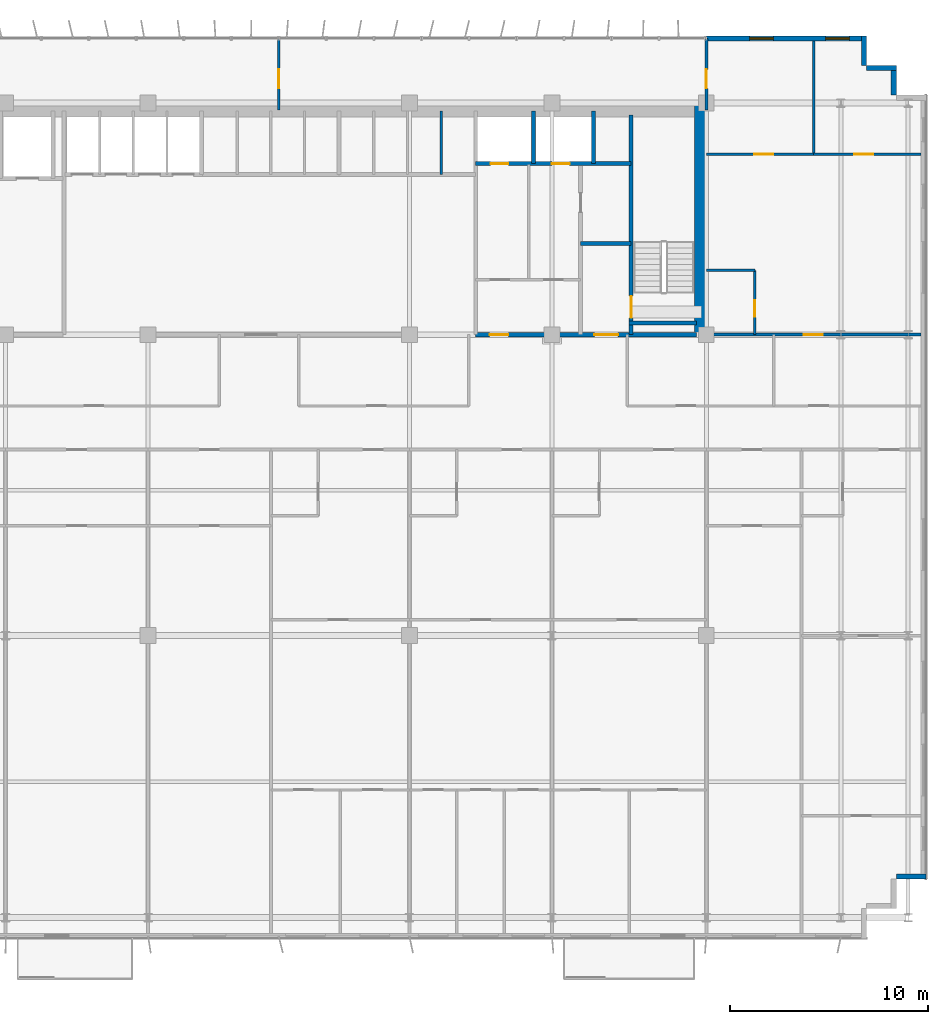
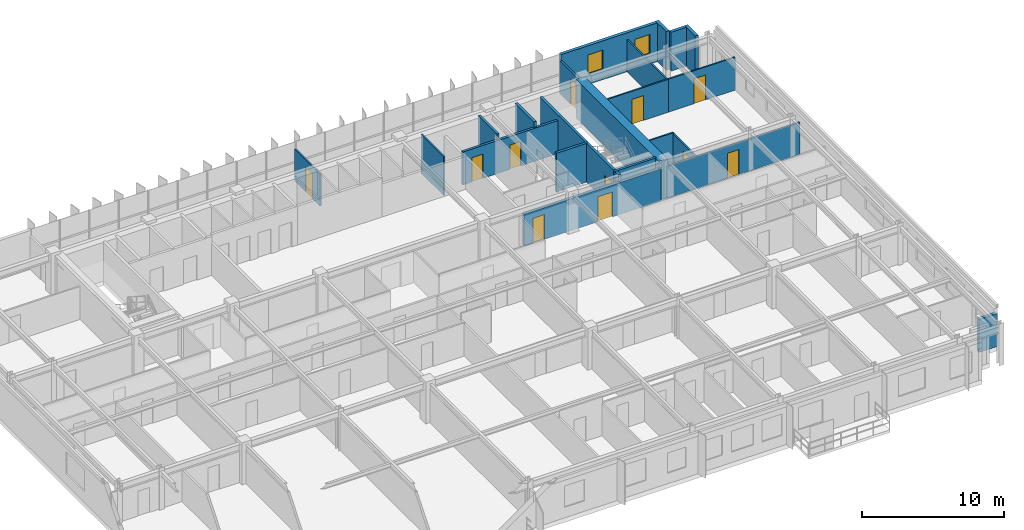
# One storey, part 18 of 22: 22 walls, 11 doors, 2 windows, 13 openings.
"""IFC4 building model written with IfcOpenShell, lengths in metres."""

from ifc_helpers import new_model, si_unit, direction, frame, frame_2d, origin, place, context, subcontext, project, spatial, rectangle, extrude, source, transform, mapped, material, layer, layer_set, type_object, element, fill, save


model = new_model("IFC4")

# Units and contexts
model_context = context("Model", 3, precision=1e-05, world=origin(), true_north=direction((0.0, 1.0)))
body_context = subcontext(model_context, "Body", "Model", "MODEL_VIEW")
ifc_project = project(units=[si_unit("LENGTHUNIT", "METRE"), si_unit("AREAUNIT", "SQUARE_METRE"), si_unit("VOLUMEUNIT", "CUBIC_METRE"), si_unit("PLANEANGLEUNIT", "RADIAN"), si_unit("MASSUNIT", "GRAM", prefix="KILO")], contexts=[model_context])

# Site, building, storey
site_placement = place(None, origin())
site = spatial("IfcSite", under=ifc_project, at=site_placement, CompositionType="ELEMENT")
building_placement = place(site_placement, origin())
building = spatial("IfcBuilding", under=site, at=building_placement, Name="Trelvane Seafront Commons", CompositionType="ELEMENT")
storey_placement = place(building_placement, frame((0.0, 0.0, 81.699951171875)))
storey = spatial("IfcBuildingStorey", under=building, at=storey_placement, Name="L20", CompositionType="ELEMENT", Elevation=81.699951171875)

# Wall, openings, windows
ifc_material_1 = material(Name="Precast concrete C40/50", Category="concrete")
ifc_layer_1 = layer(ifc_material_1, 0.260009765625, Name="ARCH-WALL-EXT260")
ifc_layer_set_1 = layer_set([ifc_layer_1], Name="Precast concrete C40/50")
wall_type_1 = type_object("IfcWallType", Name="ARCH-WALL-EXT260", PredefinedType="SOLIDWALL", material=ifc_layer_set_1)
wall_1_placement = place(storey_placement, frame((58.800048828125, 48.3701171875, 0.0), z_axis=(0.0, 0.0, 1.0), x_axis=(1.0, 0.0, 0.0)))
wall_1 = element("IfcWall", 1, at=wall_1_placement, inside=storey, type_object=wall_type_1, Name="EW-L20-NE-0350", PredefinedType="SOLIDWALL", context=body_context, shape_type="SweptSolid", body=[
    extrude(rectangle(XDim=8.0, YDim=0.260009765625, at=frame_2d((4.0, 0.0))), origin(), (0.0, 0.0, 1.0), 3.340087890625),
])
opening_1_placement = place(wall_1_placement, frame((2.19189453125, 0.0, 0.89990234375)))
opening_1 = element("IfcOpeningElement", 2, at=opening_1_placement, cuts=wall_1, Name="Opening W05", PredefinedType="OPENING", context=body_context, shape_type="SweptSolid", body=[
    extrude(rectangle(XDim=1.199951171875, YDim=1.64990234375, at=frame_2d((0.60009765625, 0.824951171875))), frame((0.0, 0.139892578125, 0.0), z_axis=(0.0, -1.0, 0.0), x_axis=(1.0, 0.0, 0.0)), (0.0, 0.0, 1.0), 0.280029296875),
])
opening_2_placement = place(wall_1_placement, frame((6.032958984375, 0.0, 0.89990234375)))
opening_2 = element("IfcOpeningElement", 3, at=opening_2_placement, cuts=wall_1, Name="Opening W05", PredefinedType="OPENING", context=body_context, shape_type="SweptSolid", body=[
    extrude(rectangle(XDim=1.199951171875, YDim=1.64990234375, at=frame_2d((0.60009765625, 0.824951171875))), frame((0.0, 0.139892578125, 0.0), z_axis=(0.0, -1.0, 0.0), x_axis=(1.0, 0.0, 0.0)), (0.0, 0.0, 1.0), 0.280029296875),
])
ifc_material_2 = material(Name="Low-E coastal double glazing", Category="glass")
window_type = type_object("IfcWindowType", Name="ARCH-WIN-W05", PartitioningType="SINGLE_PANEL", PredefinedType="WINDOW", material=ifc_material_2)
shared_shape_1 = source(origin(), body_context, "Body", "SweptSolid", [
    extrude(rectangle(XDim=1.199951171875, YDim=1.64990234375, at=frame_2d((0.60009765625, 0.824951171875))), frame((0.0, 0.030029296875, 0.0), z_axis=(0.0, -1.0, 0.0), x_axis=(1.0, 0.0, 0.0)), (0.0, 0.0, 1.0), 0.06005859375),
])
window_1_placement = place(opening_1_placement, origin())
window_1 = element("IfcWindow", 4, at=window_1_placement, inside=storey, type_object=window_type, Name="WIN-L20-00396", OverallHeight=1.64990234375, OverallWidth=1.199951171875, PartitioningType="SINGLE_PANEL", PredefinedType="WINDOW", context=body_context, shape_type="MappedRepresentation", body=[
    mapped(shared_shape_1, transform((0.0, 0.0, 0.0), x_axis=(1.0, 0.0, 0.0), y_axis=(0.0, 1.0, 0.0), z_axis=(0.0, 0.0, 1.0), scale=1.0)),
])
fill(opening_1, window_1)
window_2_placement = place(opening_2_placement, origin())
window_2 = element("IfcWindow", 5, at=window_2_placement, inside=storey, type_object=window_type, Name="WIN-L20-00397", OverallHeight=1.64990234375, OverallWidth=1.199951171875, PartitioningType="SINGLE_PANEL", PredefinedType="WINDOW", context=body_context, shape_type="MappedRepresentation", body=[
    mapped(shared_shape_1, transform((0.0, 0.0, 0.0), x_axis=(1.0, 0.0, 0.0), y_axis=(0.0, 1.0, 0.0), z_axis=(0.0, 0.0, 1.0), scale=1.0)),
])
fill(opening_2, window_2)

# Walls
for number, where, z_axis, x_axis, name in (
    (6, (66.77001953125, 48.5, 0.0), (0.0, 0.0, 1.0), (0.0, -1.0, 0.0), "EW-L20-00359"),
    (7, (66.89990234375, 46.8701171875, 0.0), (0.0, 0.0, 1.0), (1.0, 0.0, 0.0), "EW-L20-00360"),
    (8, (68.27001953125, 47.0, 0.0), (0.0, 0.0, 1.0), (0.0, -1.0, 0.0), "EW-L20-00361"),
):
    element("IfcWall", number, at=place(storey_placement, frame(where, z_axis=z_axis, x_axis=x_axis)), inside=storey, type_object=wall_type_1, Name=name, PredefinedType="SOLIDWALL", context=body_context, shape_type="SweptSolid", body=[
        extrude(rectangle(XDim=1.5, YDim=0.260009765625, at=frame_2d((0.75, 0.0))), origin(), (0.0, 0.0, 1.0), 3.340087890625),
    ])
wall_2_placement = place(storey_placement, frame((69.89990234375, 6.030029296875, 0.0), z_axis=(0.0, 0.0, 1.0), x_axis=(-1.0, 0.0, 0.0)))
element("IfcWall", 9, at=wall_2_placement, inside=storey, type_object=wall_type_1, Name="EW-L20-00364", PredefinedType="SOLIDWALL", context=body_context, shape_type="SweptSolid", body=[
    extrude(rectangle(XDim=1.5, YDim=0.260009765625, at=frame_2d((0.75, 0.0))), origin(), (0.0, 0.0, 1.0), 2.840087890625),
])
ifc_material_3 = material(Name="Concrete C40/50", Category="concrete")
ifc_layer_2 = layer(ifc_material_3, 0.199951171875, Name="ARCH-WALL-FIRE200")
ifc_layer_set_2 = layer_set([ifc_layer_2], Name="Concrete C40/50")
wall_type_2 = type_object("IfcWallType", Name="ARCH-WALL-FIRE200", PredefinedType="PARTITIONING", material=ifc_layer_set_2)
wall_3_placement = place(storey_placement, frame((52.449951171875, 38.0, 0.0), z_axis=(0.0, 0.0, 1.0), x_axis=(1.0, 0.0, 0.0)))
element("IfcWall", 10, at=wall_3_placement, inside=storey, type_object=wall_type_2, Name="W-L20-ST2V-N-034", PredefinedType="PARTITIONING", context=body_context, shape_type="SweptSolid", body=[
    extrude(rectangle(XDim=2.550048828125, YDim=0.199951171875, at=frame_2d((1.27490234375, 0.0))), origin(), (0.0, 0.0, 1.0), 3.340087890625),
])

# Wall, openings, doors
ifc_layer_3 = layer(ifc_material_3, 0.25, Name="ARCH-WALL-FIRE250")
ifc_layer_set_3 = layer_set([ifc_layer_3], Name="Concrete C40/50")
wall_type_3 = type_object("IfcWallType", Name="ARCH-WALL-FIRE250", PredefinedType="PARTITIONING", material=ifc_layer_set_3)
wall_4_placement = place(storey_placement, frame((47.14990234375, 33.39990234375, 0.0), z_axis=(0.0, 0.0, 1.0), x_axis=(1.0, 0.0, 0.0)))
wall_4 = element("IfcWall", 11, at=wall_4_placement, inside=storey, type_object=wall_type_3, Name="W-L20-CS-EAST-037", PredefinedType="PARTITIONING", context=body_context, shape_type="SweptSolid", body=[
    extrude(rectangle(XDim=11.150146484375, YDim=0.25, at=frame_2d((5.5751953125, 0.0))), origin(), (0.0, 0.0, 1.0), 2.751953125),
])
opening_3_placement = place(wall_4_placement, frame((0.699951171875, 0.0, 0.0)))
opening_3 = element("IfcOpeningElement", 12, at=opening_3_placement, cuts=wall_4, Name="Opening FD-L20-16", PredefinedType="OPENING", context=body_context, shape_type="SweptSolid", body=[
    extrude(rectangle(XDim=0.949951171875, YDim=2.14990234375, at=frame_2d((0.47509765625, 1.074951171875))), frame((0.0, 0.135009765625, 0.0), z_axis=(0.0, -1.0, 0.0), x_axis=(1.0, 0.0, 0.0)), (0.0, 0.0, 1.0), 0.27001953125),
])
opening_4_placement = place(wall_4_placement, frame((6.0, 0.0, 0.0)))
opening_4 = element("IfcOpeningElement", 13, at=opening_4_placement, cuts=wall_4, Name="Opening FD-L20-17", PredefinedType="OPENING", context=body_context, shape_type="SweptSolid", body=[
    extrude(rectangle(XDim=1.199951171875, YDim=2.14990234375, at=frame_2d((0.60009765625, 1.074951171875))), frame((0.0, 0.135009765625, 0.0), z_axis=(0.0, -1.0, 0.0), x_axis=(1.0, 0.0, 0.0)), (0.0, 0.0, 1.0), 0.27001953125),
])
ifc_material_4 = material(Name="Powder-coated aluminium frame", Category="aluminium")
door_type_1 = type_object("IfcDoorType", Name="ARCH-DR-FD60-950", OperationType="NOTDEFINED", PredefinedType="DOOR", material=ifc_material_4)
shared_shape_2 = source(origin(), body_context, "Body", "SweptSolid", [
    extrude(rectangle(XDim=0.949951171875, YDim=2.14990234375, at=frame_2d((0.47509765625, 1.074951171875))), frame((0.0, 0.02490234375, 0.0), z_axis=(0.0, -1.0, 0.0), x_axis=(1.0, 0.0, 0.0)), (0.0, 0.0, 1.0), 0.050048828125),
])
door_1_placement = place(opening_3_placement, origin())
door_1 = element("IfcDoor", 14, at=door_1_placement, inside=storey, type_object=door_type_1, Name="L20 Core Service Lobby Door", OperationType="SINGLE_SWING_RIGHT", OverallHeight=2.14990234375, OverallWidth=0.949951171875, PredefinedType="DOOR", context=body_context, shape_type="MappedRepresentation", body=[
    mapped(shared_shape_2, transform((0.0, 0.0, 0.0), x_axis=(1.0, 0.0, 0.0), y_axis=(0.0, 1.0, 0.0), z_axis=(0.0, 0.0, 1.0), scale=1.0)),
])
fill(opening_3, door_1)
door_type_2 = type_object("IfcDoorType", Name="ARCH-DR-FD60-1200", OperationType="NOTDEFINED", PredefinedType="DOOR", material=ifc_material_4)
shared_shape_3 = source(origin(), body_context, "Body", "SweptSolid", [
    extrude(rectangle(XDim=1.199951171875, YDim=2.14990234375, at=frame_2d((0.60009765625, 1.074951171875))), frame((0.0, 0.02490234375, 0.0), z_axis=(0.0, -1.0, 0.0), x_axis=(1.0, 0.0, 0.0)), (0.0, 0.0, 1.0), 0.050048828125),
])
door_2_placement = place(opening_4_placement, origin())
door_2 = element("IfcDoor", 15, at=door_2_placement, inside=storey, type_object=door_type_2, Name="L20 East Stair Vestibule Fire Door", OperationType="SINGLE_SWING_LEFT", OverallHeight=2.14990234375, OverallWidth=1.199951171875, PredefinedType="DOOR", context=body_context, shape_type="MappedRepresentation", body=[
    mapped(shared_shape_3, transform((0.0, 0.0, 0.0), x_axis=(1.0, 0.0, 0.0), y_axis=(0.0, 1.0, 0.0), z_axis=(0.0, 0.0, 1.0), scale=1.0)),
])
fill(opening_4, door_2)

# Wall
ifc_material_5 = material(Name="Gypsum Drywall Acoustic Partition")
ifc_layer_4 = layer(ifc_material_5, 0.1201171875, Name="ARCH-WALL-PART120")
ifc_layer_set_4 = layer_set([ifc_layer_4], Name="Gypsum Drywall Acoustic Partition")
wall_type_4 = type_object("IfcWallType", Name="ARCH-WALL-PART120", PredefinedType="PARTITIONING", material=ifc_layer_set_4)
wall_5_placement = place(storey_placement, frame((45.39990234375, 41.5, 0.0), z_axis=(0.0, 0.0, 1.0), x_axis=(0.0, 1.0, 0.0)))
element("IfcWall", 16, at=wall_5_placement, inside=storey, type_object=wall_type_4, Name="W-L20-PH-DIV3-027", PredefinedType="PARTITIONING", context=body_context, shape_type="SweptSolid", body=[
    extrude(rectangle(XDim=3.199951171875, YDim=0.1201171875, at=frame_2d((1.60009765625, 0.0))), origin(), (0.0, 0.0, 1.0), 3.340087890625),
])

# Wall, opening, door
wall_6_placement = place(storey_placement, frame((61.25, 33.39990234375, 0.0), z_axis=(0.0, 0.0, 1.0), x_axis=(0.0, 1.0, 0.0)))
wall_6 = element("IfcWall", 17, at=wall_6_placement, inside=storey, type_object=wall_type_4, Name="W-L20-NE-BE-051", PredefinedType="PARTITIONING", context=body_context, shape_type="SweptSolid", body=[
    extrude(rectangle(XDim=3.25, YDim=0.1201171875, at=frame_2d((1.625, 0.0))), origin(), (0.0, 0.0, 1.0), 2.751953125),
])
opening_5_placement = place(wall_6_placement, frame((0.89990234375, 0.0, 0.0)))
opening_5 = element("IfcOpeningElement", 18, at=opening_5_placement, cuts=wall_6, Name="Opening D-L20-25", PredefinedType="OPENING", context=body_context, shape_type="SweptSolid", body=[
    extrude(rectangle(XDim=0.85009765625, YDim=2.10009765625, at=frame_2d((0.425048828125, 1.050048828125))), frame((0.0, 0.070068359375, 0.0), z_axis=(0.0, -1.0, 0.0), x_axis=(1.0, 0.0, 0.0)), (0.0, 0.0, 1.0), 0.14013671875),
])
ifc_material_6 = material(Name="Acoustic timber door leaf", Category="wood")
door_type_3 = type_object("IfcDoorType", Name="ARCH-DR-INT850", OperationType="NOTDEFINED", PredefinedType="DOOR", material=ifc_material_6)
shared_shape_4 = source(origin(), body_context, "Body", "SweptSolid", [
    extrude(rectangle(XDim=0.85009765625, YDim=2.10009765625, at=frame_2d((0.425048828125, 1.050048828125))), frame((0.0, 0.02490234375, 0.0), z_axis=(0.0, -1.0, 0.0), x_axis=(1.0, 0.0, 0.0)), (0.0, 0.0, 1.0), 0.050048828125),
])
door_3_placement = place(opening_5_placement, origin())
door_3 = element("IfcDoor", 19, at=door_3_placement, inside=storey, type_object=door_type_3, Name="L20 Door 25", OperationType="SINGLE_SWING_LEFT", OverallHeight=2.10009765625, OverallWidth=0.85009765625, PredefinedType="DOOR", context=body_context, shape_type="MappedRepresentation", body=[
    mapped(shared_shape_4, transform((0.0, 0.0, 0.0), x_axis=(1.0, 0.0, 0.0), y_axis=(0.0, 1.0, 0.0), z_axis=(0.0, 0.0, 1.0), scale=1.0)),
])
fill(opening_5, door_3)

# Wall
wall_7_placement = place(storey_placement, frame((58.800048828125, 36.64990234375, 0.0), z_axis=(0.0, 0.0, 1.0), x_axis=(1.0, 0.0, 0.0)))
element("IfcWall", 20, at=wall_7_placement, inside=storey, type_object=wall_type_4, Name="W-L20-NE-BN-052", PredefinedType="PARTITIONING", context=body_context, shape_type="SweptSolid", body=[
    extrude(rectangle(XDim=2.449951171875, YDim=0.1201171875, at=frame_2d((1.22509765625, 0.0))), origin(), (0.0, 0.0, 1.0), 2.840087890625),
])

# Wall, opening, door
wall_8_placement = place(storey_placement, frame((58.800048828125, 42.52001953125, 0.0), z_axis=(0.0, 0.0, 1.0), x_axis=(1.0, 0.0, 0.0)))
wall_8 = element("IfcWall", 21, at=wall_8_placement, inside=storey, type_object=wall_type_4, Name="W-L20-NE-KB1-053", PredefinedType="PARTITIONING", context=body_context, shape_type="SweptSolid", body=[
    extrude(rectangle(XDim=5.425048828125, YDim=0.1201171875, at=frame_2d((2.71240234375, 0.0))), origin(), (0.0, 0.0, 1.0), 2.840087890625),
])
opening_6_placement = place(wall_8_placement, frame((2.423095703125, 0.0, 0.0)))
opening_6 = element("IfcOpeningElement", 22, at=opening_6_placement, cuts=wall_8, Name="Opening D-L20-26", PredefinedType="OPENING", context=body_context, shape_type="SweptSolid", body=[
    extrude(rectangle(XDim=0.949951171875, YDim=2.14990234375, at=frame_2d((0.47509765625, 1.074951171875))), frame((0.0, 0.070068359375, 0.0), z_axis=(0.0, -1.0, 0.0), x_axis=(1.0, 0.0, 0.0)), (0.0, 0.0, 1.0), 0.14013671875),
])
door_type_4 = type_object("IfcDoorType", Name="ARCH-DR-INT950", OperationType="NOTDEFINED", PredefinedType="DOOR", material=ifc_material_6)
door_4_placement = place(opening_6_placement, origin())
door_4 = element("IfcDoor", 23, at=door_4_placement, inside=storey, type_object=door_type_4, Name="L20 Door 26", OperationType="SINGLE_SWING_RIGHT", OverallHeight=2.14990234375, OverallWidth=0.949951171875, PredefinedType="DOOR", context=body_context, shape_type="MappedRepresentation", body=[
    mapped(shared_shape_2, transform((0.0, 0.0, 0.0), x_axis=(1.0, 0.0, 0.0), y_axis=(0.0, 1.0, 0.0), z_axis=(0.0, 0.0, 1.0), scale=1.0)),
])
fill(opening_6, door_4)

wall_9_placement = place(storey_placement, frame((64.22509765625, 42.52001953125, 0.0), z_axis=(0.0, 0.0, 1.0), x_axis=(1.0, 0.0, 0.0)))
wall_9 = element("IfcWall", 24, at=wall_9_placement, inside=storey, type_object=wall_type_4, Name="W-L20-NE-KB2-054", PredefinedType="PARTITIONING", context=body_context, shape_type="SweptSolid", body=[
    extrude(rectangle(XDim=5.4248046875, YDim=0.1201171875, at=frame_2d((2.71240234375, 0.0))), origin(), (0.0, 0.0, 1.0), 2.840087890625),
])
opening_7_placement = place(wall_9_placement, frame((2.052001953125, 0.0, 0.0)))
opening_7 = element("IfcOpeningElement", 25, at=opening_7_placement, cuts=wall_9, Name="Opening D-L20-27", PredefinedType="OPENING", context=body_context, shape_type="SweptSolid", body=[
    extrude(rectangle(XDim=0.949951171875, YDim=2.14990234375, at=frame_2d((0.47509765625, 1.074951171875))), frame((0.0, 0.070068359375, 0.0), z_axis=(0.0, -1.0, 0.0), x_axis=(1.0, 0.0, 0.0)), (0.0, 0.0, 1.0), 0.14013671875),
])
door_5_placement = place(opening_7_placement, origin())
door_5 = element("IfcDoor", 26, at=door_5_placement, inside=storey, type_object=door_type_4, Name="L20 Door 27", OperationType="SINGLE_SWING_LEFT", OverallHeight=2.14990234375, OverallWidth=0.949951171875, PredefinedType="DOOR", context=body_context, shape_type="MappedRepresentation", body=[
    mapped(shared_shape_2, transform((0.0, 0.0, 0.0), x_axis=(1.0, 0.0, 0.0), y_axis=(0.0, 1.0, 0.0), z_axis=(0.0, 0.0, 1.0), scale=1.0)),
])
fill(opening_7, door_5)

# Wall
wall_10_placement = place(storey_placement, frame((64.22509765625, 42.52001953125, 0.0), z_axis=(0.0, 0.0, 1.0), x_axis=(0.0, 1.0, 0.0)))
element("IfcWall", 27, at=wall_10_placement, inside=storey, type_object=wall_type_4, Name="W-L20-NE-KBDV-055", PredefinedType="PARTITIONING", context=body_context, shape_type="SweptSolid", body=[
    extrude(rectangle(XDim=5.719970703125, YDim=0.1201171875, at=frame_2d((2.85986328125, 0.0))), origin(), (0.0, 0.0, 1.0), 2.751953125),
])

# Wall, opening, door
wall_11_placement = place(storey_placement, frame((37.199951171875, 44.75, 0.0), z_axis=(0.0, 0.0, 1.0), x_axis=(0.0, 1.0, 0.0)))
wall_11 = element("IfcWall", 28, at=wall_11_placement, inside=storey, type_object=wall_type_4, Name="W-L20-N-MID-DV-057", PredefinedType="PARTITIONING", context=body_context, shape_type="SweptSolid", body=[
    extrude(rectangle(XDim=3.610107421875, YDim=0.1201171875, at=frame_2d((1.80517578125, 0.0))), origin(), (0.0, 0.0, 1.0), 2.751953125),
])
opening_8_placement = place(wall_11_placement, frame((1.10009765625, 0.0, 0.0)))
opening_8 = element("IfcOpeningElement", 29, at=opening_8_placement, cuts=wall_11, Name="Opening D-L20-29", PredefinedType="OPENING", context=body_context, shape_type="SweptSolid", body=[
    extrude(rectangle(XDim=0.949951171875, YDim=2.14990234375, at=frame_2d((0.47509765625, 1.074951171875))), frame((0.0, 0.070068359375, 0.0), z_axis=(0.0, -1.0, 0.0), x_axis=(1.0, 0.0, 0.0)), (0.0, 0.0, 1.0), 0.14013671875),
])
door_6_placement = place(opening_8_placement, origin())
door_6 = element("IfcDoor", 30, at=door_6_placement, inside=storey, type_object=door_type_4, Name="L20 Door 29", OperationType="SINGLE_SWING_LEFT", OverallHeight=2.14990234375, OverallWidth=0.949951171875, PredefinedType="DOOR", context=body_context, shape_type="MappedRepresentation", body=[
    mapped(shared_shape_2, transform((0.0, 0.0, 0.0), x_axis=(1.0, 0.0, 0.0), y_axis=(0.0, 1.0, 0.0), z_axis=(0.0, 0.0, 1.0), scale=1.0)),
])
fill(opening_8, door_6)

ifc_layer_5 = layer(ifc_material_5, 0.14990234375, Name="ARCH-WALL-PART150")
ifc_layer_set_5 = layer_set([ifc_layer_5], Name="Gypsum Drywall Acoustic Partition")
wall_type_5 = type_object("IfcWallType", Name="ARCH-WALL-PART150", PredefinedType="PARTITIONING", material=ifc_layer_set_5)
wall_12_placement = place(storey_placement, frame((58.800048828125, 33.39990234375, 0.0), z_axis=(0.0, 0.0, 1.0), x_axis=(1.0, 0.0, 0.0)))
wall_12 = element("IfcWall", 31, at=wall_12_placement, inside=storey, type_object=wall_type_5, Name="W-L20-NE-ENT-056", PredefinedType="PARTITIONING", context=body_context, shape_type="SweptSolid", body=[
    extrude(rectangle(XDim=10.849853515625, YDim=0.14990234375, at=frame_2d((5.4248046875, 0.0))), origin(), (0.0, 0.0, 1.0), 2.751953125),
])
opening_9_placement = place(wall_12_placement, frame((4.93310546875, 0.0, 0.0)))
opening_9 = element("IfcOpeningElement", 32, at=opening_9_placement, cuts=wall_12, Name="Opening FD-L20-28", PredefinedType="OPENING", context=body_context, shape_type="SweptSolid", body=[
    extrude(rectangle(XDim=0.949951171875, YDim=2.14990234375, at=frame_2d((0.47509765625, 1.074951171875))), frame((0.0, 0.0849609375, 0.0), z_axis=(0.0, -1.0, 0.0), x_axis=(1.0, 0.0, 0.0)), (0.0, 0.0, 1.0), 0.169921875),
])
door_7_placement = place(opening_9_placement, origin())
door_7 = element("IfcDoor", 33, at=door_7_placement, inside=storey, type_object=door_type_1, Name="L20 NE Flat Entrance Door", OperationType="SINGLE_SWING_RIGHT", OverallHeight=2.14990234375, OverallWidth=0.949951171875, PredefinedType="DOOR", context=body_context, shape_type="MappedRepresentation", body=[
    mapped(shared_shape_2, transform((0.0, 0.0, 0.0), x_axis=(1.0, 0.0, 0.0), y_axis=(0.0, 1.0, 0.0), z_axis=(0.0, 0.0, 1.0), scale=1.0)),
])
fill(opening_9, door_7)

wall_13_placement = place(storey_placement, frame((58.800048828125, 44.75, 0.0), z_axis=(0.0, 0.0, 1.0), x_axis=(0.0, 1.0, 0.0)))
wall_13 = element("IfcWall", 34, at=wall_13_placement, inside=storey, type_object=wall_type_5, Name="W-L20-N-LINK-E-059", PredefinedType="PARTITIONING", context=body_context, shape_type="SweptSolid", body=[
    extrude(rectangle(XDim=3.610107421875, YDim=0.14990234375, at=frame_2d((1.80517578125, 0.0))), origin(), (0.0, 0.0, 1.0), 2.840087890625),
])
opening_10_placement = place(wall_13_placement, frame((1.10009765625, 0.0, 0.0)))
opening_10 = element("IfcOpeningElement", 35, at=opening_10_placement, cuts=wall_13, Name="Opening FD-L20-31", PredefinedType="OPENING", context=body_context, shape_type="SweptSolid", body=[
    extrude(rectangle(XDim=0.949951171875, YDim=2.14990234375, at=frame_2d((0.47509765625, 1.074951171875))), frame((0.0, 0.0849609375, 0.0), z_axis=(0.0, -1.0, 0.0), x_axis=(1.0, 0.0, 0.0)), (0.0, 0.0, 1.0), 0.169921875),
])
door_8_placement = place(opening_10_placement, origin())
door_8 = element("IfcDoor", 36, at=door_8_placement, inside=storey, type_object=door_type_1, Name="L20 Door 31", OperationType="SINGLE_SWING_LEFT", OverallHeight=2.14990234375, OverallWidth=0.949951171875, PredefinedType="DOOR", context=body_context, shape_type="MappedRepresentation", body=[
    mapped(shared_shape_2, transform((0.0, 0.0, 0.0), x_axis=(1.0, 0.0, 0.0), y_axis=(0.0, 1.0, 0.0), z_axis=(0.0, 0.0, 1.0), scale=1.0)),
])
fill(opening_10, door_8)

# Wall, openings, doors
ifc_layer_6 = layer(ifc_material_3, 0.199951171875, Name="ARCH-WALL-SHAFT200")
ifc_layer_set_6 = layer_set([ifc_layer_6], Name="Concrete C40/50")
wall_type_6 = type_object("IfcWallType", Name="ARCH-WALL-SHAFT200", PredefinedType="SOLIDWALL", material=ifc_layer_set_6)
wall_14_placement = place(storey_placement, frame((47.14990234375, 42.050048828125, 0.0), z_axis=(0.0, 0.0, 1.0), x_axis=(1.0, 0.0, 0.0)))
wall_14 = element("IfcWall", 37, at=wall_14_placement, inside=storey, type_object=wall_type_6, Name="W-L20-RSR-S-030", PredefinedType="SOLIDWALL", context=body_context, shape_type="SweptSolid", body=[
    extrude(rectangle(XDim=7.85009765625, YDim=0.199951171875, at=frame_2d((3.925048828125, 0.0))), origin(), (0.0, 0.0, 1.0), 2.840087890625),
])
opening_11_placement = place(wall_14_placement, frame((0.75, 0.0, 0.0)))
opening_11 = element("IfcOpeningElement", 38, at=opening_11_placement, cuts=wall_14, Name="Opening FD-L20-11", PredefinedType="OPENING", context=body_context, shape_type="SweptSolid", body=[
    extrude(rectangle(XDim=0.89990234375, YDim=2.10009765625, at=frame_2d((0.449951171875, 1.050048828125))), frame((0.0, 0.10986328125, 0.0), z_axis=(0.0, -1.0, 0.0), x_axis=(1.0, 0.0, 0.0)), (0.0, 0.0, 1.0), 0.219970703125),
])
opening_12_placement = place(wall_14_placement, frame((3.85009765625, 0.0, 0.0)))
opening_12 = element("IfcOpeningElement", 39, at=opening_12_placement, cuts=wall_14, Name="Opening FD-L20-12", PredefinedType="OPENING", context=body_context, shape_type="SweptSolid", body=[
    extrude(rectangle(XDim=0.89990234375, YDim=2.10009765625, at=frame_2d((0.449951171875, 1.050048828125))), frame((0.0, 0.10986328125, 0.0), z_axis=(0.0, -1.0, 0.0), x_axis=(1.0, 0.0, 0.0)), (0.0, 0.0, 1.0), 0.219970703125),
])
door_type_5 = type_object("IfcDoorType", Name="ARCH-DR-FD60-900", OperationType="NOTDEFINED", PredefinedType="DOOR", material=ifc_material_4)
shared_shape_5 = source(origin(), body_context, "Body", "SweptSolid", [
    extrude(rectangle(XDim=0.89990234375, YDim=2.10009765625, at=frame_2d((0.449951171875, 1.050048828125))), frame((0.0, 0.02490234375, 0.0), z_axis=(0.0, -1.0, 0.0), x_axis=(1.0, 0.0, 0.0)), (0.0, 0.0, 1.0), 0.050048828125),
])
door_9_placement = place(opening_11_placement, origin())
door_9 = element("IfcDoor", 40, at=door_9_placement, inside=storey, type_object=door_type_5, Name="L20 Electrical Riser Access Door", OperationType="SINGLE_SWING_LEFT", OverallHeight=2.10009765625, OverallWidth=0.89990234375, PredefinedType="DOOR", context=body_context, shape_type="MappedRepresentation", body=[
    mapped(shared_shape_5, transform((0.0, 0.0, 0.0), x_axis=(1.0, 0.0, 0.0), y_axis=(0.0, 1.0, 0.0), z_axis=(0.0, 0.0, 1.0), scale=1.0)),
])
fill(opening_11, door_9)
door_10_placement = place(opening_12_placement, origin())
door_10 = element("IfcDoor", 41, at=door_10_placement, inside=storey, type_object=door_type_5, Name="L20 Mechanical Riser Access Door", OperationType="SINGLE_SWING_RIGHT", OverallHeight=2.10009765625, OverallWidth=0.89990234375, PredefinedType="DOOR", context=body_context, shape_type="MappedRepresentation", body=[
    mapped(shared_shape_5, transform((0.0, 0.0, 0.0), x_axis=(1.0, 0.0, 0.0), y_axis=(0.0, 1.0, 0.0), z_axis=(0.0, 0.0, 1.0), scale=1.0)),
])
fill(opening_12, door_10)

# Walls
for number, where, z_axis, x_axis, name in (
    (42, (50.080078125, 42.050048828125, 0.0), (0.0, 0.0, 1.0), (0.0, 1.0, 0.0), "W-L20-RSR-DIV-031"),
    (43, (53.10009765625, 42.050048828125, 0.0), (0.0, 0.0, 1.0), (0.0, 1.0, 0.0), "W-L20-RSR-E-032"),
):
    element("IfcWall", number, at=place(storey_placement, frame(where, z_axis=z_axis, x_axis=x_axis)), inside=storey, type_object=wall_type_6, Name=name, PredefinedType="SOLIDWALL", context=body_context, shape_type="SweptSolid", body=[
        extrude(rectangle(XDim=2.64990234375, YDim=0.199951171875, at=frame_2d((1.324951171875, 0.0))), origin(), (0.0, 0.0, 1.0), 3.340087890625),
    ])
ifc_material_7 = material(Name="Concrete C60/75", Category="concrete")
ifc_layer_7 = layer(ifc_material_7, 0.699951171875, Name="STR-WALL-CORE700")
ifc_layer_set_7 = layer_set([ifc_layer_7], Name="Concrete C60/75")
wall_type_7 = type_object("IfcWallType", Name="STR-WALL-CORE700", PredefinedType="SHEAR", material=ifc_layer_set_7)
wall_15_placement = place(storey_placement, frame((58.550048828125, 33.39990234375, 0.0), z_axis=(0.0, 0.0, 1.0), x_axis=(0.0, 1.0, 0.0)))
element("IfcWall", 44, at=wall_15_placement, inside=storey, type_object=wall_type_7, Name="W-L20-CE-END-003", PredefinedType="SHEAR", context=body_context, shape_type="SweptSolid", body=[
    extrude(rectangle(XDim=11.7001953125, YDim=0.699951171875, at=frame_2d((5.85009765625, 0.0))), origin(), (0.0, 0.0, 1.0), 3.340087890625),
])
ifc_material_8 = material(Name="Concrete C50/60", Category="concrete")
ifc_layer_8 = layer(ifc_material_8, 0.199951171875, Name="STR-WALL-STAIR200")
ifc_layer_set_8 = layer_set([ifc_layer_8], Name="Concrete C50/60")
wall_type_8 = type_object("IfcWallType", Name="STR-WALL-STAIR200", PredefinedType="SHEAR", material=ifc_layer_set_8)
wall_16_placement = place(storey_placement, frame((54.89990234375, 34.0, 0.0), z_axis=(0.0, 0.0, 1.0), x_axis=(1.0, 0.0, 0.0)))
element("IfcWall", 45, at=wall_16_placement, inside=storey, type_object=wall_type_8, Name="W-L20-ST2-S-006", PredefinedType="SHEAR", context=body_context, shape_type="SweptSolid", body=[
    extrude(rectangle(XDim=3.400146484375, YDim=0.199951171875, at=frame_2d((1.7001953125, 0.0))), origin(), (0.0, 0.0, 1.0), 3.340087890625),
])

# Wall, opening, door
wall_17_placement = place(storey_placement, frame((55.0, 33.39990234375, 0.0), z_axis=(0.0, 0.0, 1.0), x_axis=(0.0, 1.0, 0.0)))
wall_17 = element("IfcWall", 46, at=wall_17_placement, inside=storey, type_object=wall_type_8, Name="W-L20-ST2-W-007", PredefinedType="SHEAR", context=body_context, shape_type="SweptSolid", body=[
    extrude(rectangle(XDim=11.10009765625, YDim=0.199951171875, at=frame_2d((5.550048828125, 0.0))), origin(), (0.0, 0.0, 1.0), 3.340087890625),
])
opening_13_placement = place(wall_17_placement, frame((0.85009765625, 0.0, 0.0)))
opening_13 = element("IfcOpeningElement", 47, at=opening_13_placement, cuts=wall_17, Name="Opening ST-D2-L20", PredefinedType="OPENING", context=body_context, shape_type="SweptSolid", body=[
    extrude(rectangle(XDim=1.10009765625, YDim=2.14990234375, at=frame_2d((0.550048828125, 1.074951171875))), frame((0.0, 0.10986328125, 0.0), z_axis=(0.0, -1.0, 0.0), x_axis=(1.0, 0.0, 0.0)), (0.0, 0.0, 1.0), 0.219970703125),
])
door_type_6 = type_object("IfcDoorType", Name="ARCH-DR-FD90-1100", OperationType="NOTDEFINED", PredefinedType="DOOR", material=ifc_material_4)
shared_shape_6 = source(origin(), body_context, "Body", "SweptSolid", [
    extrude(rectangle(XDim=1.10009765625, YDim=2.14990234375, at=frame_2d((0.550048828125, 1.074951171875))), frame((0.0, 0.02490234375, 0.0), z_axis=(0.0, -1.0, 0.0), x_axis=(1.0, 0.0, 0.0)), (0.0, 0.0, 1.0), 0.050048828125),
])
door_11_placement = place(opening_13_placement, origin())
door_11 = element("IfcDoor", 48, at=door_11_placement, inside=storey, type_object=door_type_6, Name="L20 Stair ST-2 Vestibule Fire Door", OperationType="SINGLE_SWING_RIGHT", OverallHeight=2.14990234375, OverallWidth=1.10009765625, PredefinedType="DOOR", context=body_context, shape_type="MappedRepresentation", body=[
    mapped(shared_shape_6, transform((0.0, 0.0, 0.0), x_axis=(1.0, 0.0, 0.0), y_axis=(0.0, 1.0, 0.0), z_axis=(0.0, 0.0, 1.0), scale=1.0)),
])
fill(opening_13, door_11)

save(model, "model.ifc")
